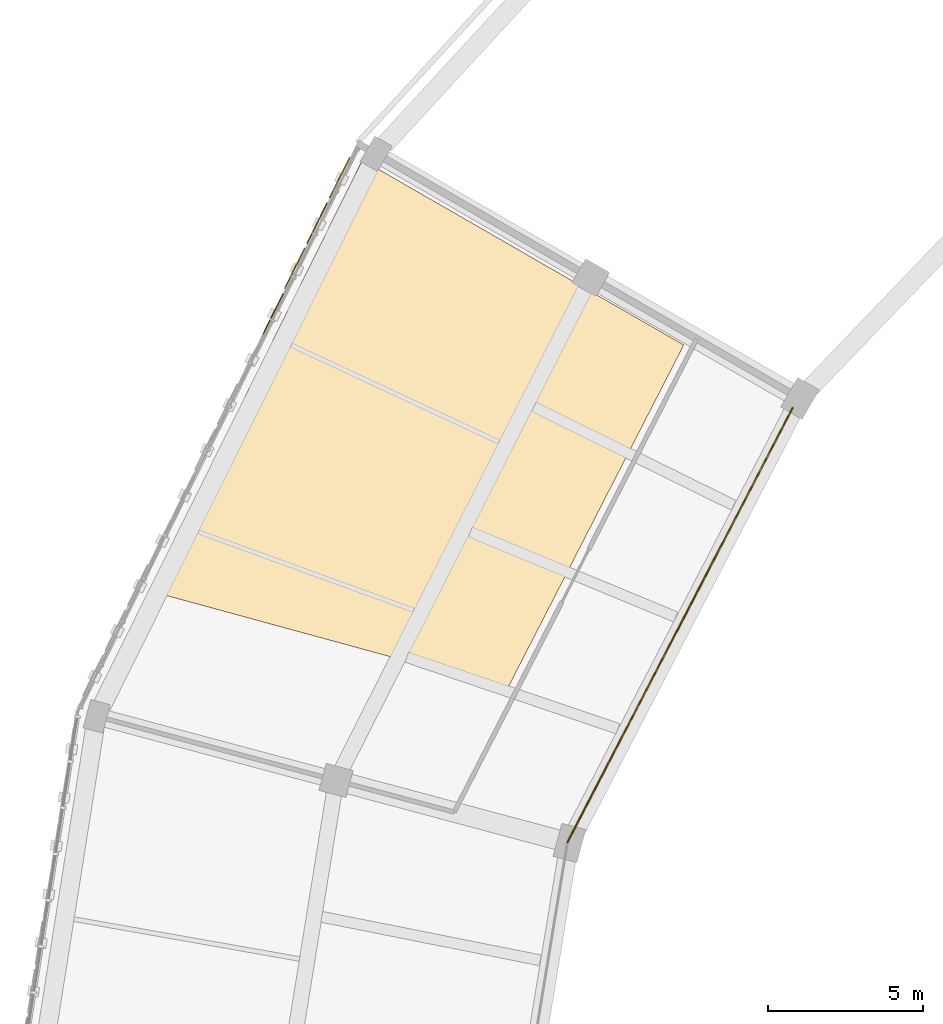
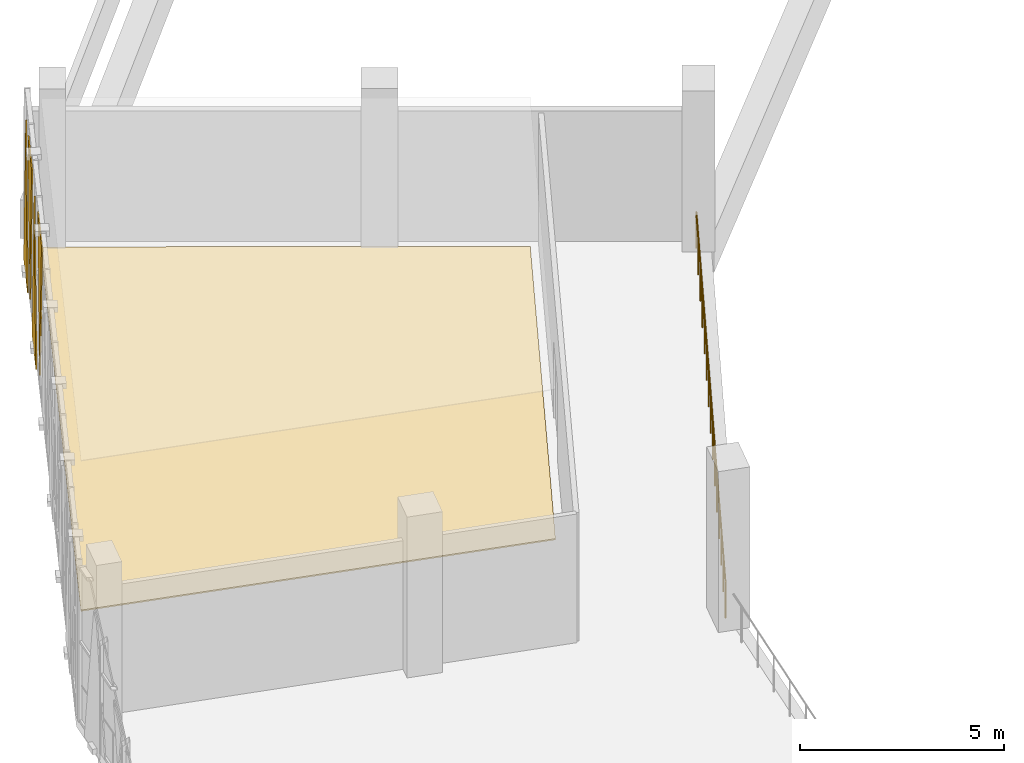
# One storey, part 59 of 64: 5 coverings, 1 railing.
"""IFC4 building model written with IfcOpenShell, lengths in metres."""

import ifcopenshell
import ifcopenshell.guid

model = None  # the IFC model being written
_history = None  # IfcOwnerHistory: only IFC2X3 demands one
_inside = {}  # id of a spatial element -> (the spatial element, [elements in it])
_under = {}  # id of a project, library or spatial element -> (it, [spatial elements below it])
_declared = {}  # id of a project -> (the project, [libraries it declares])
_typed = {}  # id of a type object -> (the type object, [elements of that type])
_made_of = {}  # id of a material, layer set ... -> (it, [elements and type objects made of it])


def new_model(schema):
    """Start an empty IFC model of exactly this schema.

    Asked for "IFC4X3", IfcOpenShell would pick the latest addendum, in which some entities
    have other attributes; the version numbers below select the first issue.
    IFC2X3 requires an IfcOwnerHistory on every rooted entity: one is made here for all.
    """
    global model, _history
    if schema == "IFC4X3":
        model = ifcopenshell.file(schema_version=(4, 3, 0, 0))
    else:
        model = ifcopenshell.file(schema=schema)
    _inside.clear()
    _under.clear()
    _declared.clear()
    _typed.clear()
    _made_of.clear()
    _history = None
    if model.schema == "IFC2X3":
        org = make("IfcOrganization", Name="unknown")
        user = make(
            "IfcPersonAndOrganization",
            ThePerson=make("IfcPerson", FamilyName="unknown"),
            TheOrganization=org,
        )
        app = make(
            "IfcApplication",
            ApplicationDeveloper=org,
            Version="unknown",
            ApplicationFullName="unknown",
            ApplicationIdentifier="unknown",
        )
        _history = make(
            "IfcOwnerHistory",
            OwningUser=user,
            OwningApplication=app,
            ChangeAction="ADDED",
            CreationDate=0,
        )
    return model


def make(cls, **values):
    """One entity of the class cls with the attributes given. An attribute that is None is left unset."""
    return model.create_entity(
        cls, **{name: value for name, value in values.items() if value is not None}
    )


def rooted(cls, **values):
    """An entity with a GlobalId (a new one), such as an element, a storey or a relation."""
    return make(cls, GlobalId=ifcopenshell.guid.new(), OwnerHistory=_history, **values)


def si_unit(unit_type, name, prefix=None):
    """IfcSIUnit, for example si_unit("LENGTHUNIT", "METRE", prefix="MILLI")."""
    return make("IfcSIUnit", UnitType=unit_type, Prefix=prefix, Name=name)


def assignment(units):
    """IfcUnitAssignment: the units of a project."""
    return None if units is None else make("IfcUnitAssignment", Units=units)


def point(xyz):
    """IfcCartesianPoint."""
    return None if xyz is None else make("IfcCartesianPoint", Coordinates=xyz)


def direction(xyz):
    """IfcDirection."""
    return None if xyz is None else make("IfcDirection", DirectionRatios=xyz)


def frame(location, z_axis=None, x_axis=None):
    """IfcAxis2Placement3D, a coordinate frame: its origin and axes. An axis left out is left unset."""
    return make(
        "IfcAxis2Placement3D",
        Location=point(location),
        Axis=direction(z_axis),
        RefDirection=direction(x_axis),
    )


def frame_2d(location, x_axis=None):
    """IfcAxis2Placement2D, a coordinate frame in the plane: its origin and x axis."""
    return make(
        "IfcAxis2Placement2D", Location=point(location), RefDirection=direction(x_axis)
    )


def origin():
    """The frame at (0, 0, 0) with its axes left unset."""
    return frame((0.0, 0.0, 0.0))


def origin_2d():
    """The frame at (0, 0) in the plane with its x axis left unset."""
    return frame_2d((0.0, 0.0))


def place(relative_to, where):
    """IfcLocalPlacement: puts the frame where relative to a parent placement (None: the world)."""
    return make(
        "IfcLocalPlacement", PlacementRelTo=relative_to, RelativePlacement=where
    )


def context(
    kind, dimensions, precision=None, world=None, true_north=None, identifier=None
):
    """IfcGeometricRepresentationContext, for example the 3D "Model" context."""
    return make(
        "IfcGeometricRepresentationContext",
        ContextIdentifier=identifier,
        ContextType=kind,
        CoordinateSpaceDimension=dimensions,
        Precision=precision,
        WorldCoordinateSystem=world,
        TrueNorth=true_north,
    )


def subcontext(parent, identifier, kind, view, scale=None):
    """IfcGeometricRepresentationSubContext, for example "Body" below "Model"."""
    return make(
        "IfcGeometricRepresentationSubContext",
        ContextIdentifier=identifier,
        ContextType=kind,
        ParentContext=parent,
        TargetScale=scale,
        TargetView=view,
    )


def project(units=None, contexts=None):
    """IfcProject with its units and contexts."""
    return rooted(
        "IfcProject",
        Name="project",
        RepresentationContexts=contexts,
        UnitsInContext=assignment(units),
    )


def spatial(cls, under=None, at=None, **own):
    """A site, building, storey or space (cls), placed at a placement, below another one or the project."""
    s = rooted(cls, ObjectPlacement=at, **own)
    if under is not None:
        _under.setdefault(under.id(), (under, []))[1].append(s)
    return s


def polyline(points):
    """IfcPolyline through the points."""
    return make("IfcPolyline", Points=[point(p) for p in points])


def profile(cls, at=None, kind="AREA", **sizes):
    """A parametric profile (cls). Its sizes go by their IFC names, for example OverallWidth=200.0."""
    return make(cls, ProfileType=kind, Position=at, **sizes)


def circle(**sizes):
    """IfcCircleProfileDef."""
    return profile("IfcCircleProfileDef", **sizes)


def outline(outer, holes=None, kind="AREA"):
    """IfcArbitraryClosedProfileDef: a profile drawn as a closed curve; with holes, ...WithVoids."""
    if holes is None:
        return make("IfcArbitraryClosedProfileDef", ProfileType=kind, OuterCurve=outer)
    return make(
        "IfcArbitraryProfileDefWithVoids",
        ProfileType=kind,
        OuterCurve=outer,
        InnerCurves=holes,
    )


def extrude(swept, where, along, depth):
    """IfcExtrudedAreaSolid: the profile swept, set in the frame where, extruded along a direction by depth."""
    return make(
        "IfcExtrudedAreaSolid",
        SweptArea=swept,
        Position=where,
        ExtrudedDirection=direction(along),
        Depth=depth,
    )


def shape(context_of_items, identifier, shape_type, items):
    """IfcShapeRepresentation: the items that make up one representation, for example the "Body"."""
    return make(
        "IfcShapeRepresentation",
        ContextOfItems=context_of_items,
        RepresentationIdentifier=identifier,
        RepresentationType=shape_type,
        Items=items,
    )


def material(Name=None, Category=None):
    """IfcMaterial."""
    return make("IfcMaterial", Name=Name, Category=Category)


def layer(
    of_material, thickness, ventilated=None, Name=None, Category=None, Priority=None
):
    """IfcMaterialLayer: one layer of a wall or slab, of a material (None: an air gap)."""
    return make(
        "IfcMaterialLayer",
        Material=of_material,
        LayerThickness=thickness,
        IsVentilated=ventilated,
        Name=Name,
        Category=Category,
        Priority=Priority,
    )


def layer_set(layers, Name=None):
    """IfcMaterialLayerSet."""
    return make("IfcMaterialLayerSet", MaterialLayers=layers, LayerSetName=Name)


def made_of(thing, what):
    """Note that an element or type object is made of a material, layer set ...; save() writes the relation."""
    if what is not None:
        _made_of.setdefault(what.id(), (what, []))[1].append(thing)
    return thing


def type_object(cls, material=None, **own):
    """A type object (cls), such as IfcWallType, which elements share."""
    return made_of(rooted(cls, **own), material)


def element(
    cls,
    number,
    at=None,
    inside=None,
    cuts=None,
    type_object=None,
    material=None,
    context=None,
    identifier="Body",
    shape_type=None,
    held_by="IfcProductDefinitionShape",
    body=None,
    shapes=None,
    **own,
):
    """One element of the class cls, such as IfcWall. Its Tag is "e" and its number.

    at: its placement. inside: the storey or other place that contains it. cuts: it is an
    opening in that element (IfcRelVoidsElement). A single representation is given by context,
    identifier, shape_type and body (its items); several are given by shapes. held_by: the class
    of the entity that holds the representations. save() writes the other relations.
    """
    e = rooted(cls, Tag="e%d" % number, ObjectPlacement=at, **own)
    if body is not None:
        shapes = [shape(context, identifier, shape_type, body)]
    if shapes is not None:
        e.Representation = make(held_by, Representations=shapes)
    if inside is not None:
        _inside.setdefault(inside.id(), (inside, []))[1].append(e)
    if cuts is not None:
        rooted(
            "IfcRelVoidsElement", RelatingBuildingElement=cuts, RelatedOpeningElement=e
        )
    if type_object is not None:
        _typed.setdefault(type_object.id(), (type_object, []))[1].append(e)
    return made_of(e, material)


def aggregate(whole, parts):
    """IfcRelAggregates: a whole, such as a stair, and the parts it consists of."""
    return rooted("IfcRelAggregates", RelatingObject=whole, RelatedObjects=parts)


def save(model, path):
    """Write the relations noted so far, then the file.

    IfcRelAggregates (storeys below a building ...), IfcRelContainedInSpatialStructure (elements
    in a storey), IfcRelDefinesByType, IfcRelAssociatesMaterial and IfcRelDeclares: one each for
    every whole, place, type object, material and project.
    """
    for whole, parts in _under.values():
        aggregate(whole, parts)
    for where, things in _inside.values():
        rooted(
            "IfcRelContainedInSpatialStructure",
            RelatedElements=things,
            RelatingStructure=where,
        )
    for kind, things in _typed.values():
        rooted("IfcRelDefinesByType", RelatedObjects=things, RelatingType=kind)
    for what, things in _made_of.values():
        rooted("IfcRelAssociatesMaterial", RelatedObjects=things, RelatingMaterial=what)
    for by, libraries in _declared.values():
        rooted("IfcRelDeclares", RelatingContext=by, RelatedDefinitions=libraries)
    model.write(path)


model = new_model("IFC4")

# Units and contexts
model_context = context("Model", 3, precision=1e-05, world=origin(), true_north=direction((0.0, 1.0)))
body_context = subcontext(model_context, "Body", "Model", "MODEL_VIEW")
ifc_project = project(units=[si_unit("LENGTHUNIT", "METRE"), si_unit("AREAUNIT", "SQUARE_METRE"), si_unit("VOLUMEUNIT", "CUBIC_METRE"), si_unit("PLANEANGLEUNIT", "RADIAN"), si_unit("MASSUNIT", "GRAM", prefix="KILO")], contexts=[model_context])

# Site, building, storey
site_placement = place(None, origin())
site = spatial("IfcSite", under=ifc_project, at=site_placement, CompositionType="ELEMENT")
building_placement = place(site_placement, origin())
building = spatial("IfcBuilding", under=site, at=building_placement, Name="Zevraka Park Crest Stadium", CompositionType="ELEMENT")
storey_placement = place(building_placement, frame((0.0, 0.0, 24.60009765625)))
storey = spatial("IfcBuildingStorey", under=building, at=storey_placement, Name="L05", CompositionType="ELEMENT", Elevation=24.60009765625)

# Coverings
ifc_material_1 = material(Name="Architectural golden-bronze perforated aluminium", Category="aluminium")
ifc_layer_1 = layer(ifc_material_1, 0.034912109375)
ifc_layer_set_1 = layer_set([ifc_layer_1], Name="Architectural golden-bronze perforated aluminium")
covering_type_1 = type_object("IfcCoveringType", Name="CLD01", PredefinedType="CLADDING", material=ifc_layer_set_1)
covering_1_placement = place(storey_placement, frame((32.95703125, 129.52490234375, -0.22021484375), z_axis=(0.895619480658, -0.444821021261, 7.0067675e-05), x_axis=(-0.444821022353, -0.895619482857, 0.0)))
element("IfcCovering", 1, at=covering_1_placement, inside=storey, type_object=covering_type_1, Name="Triangular Golden-Bronze Perforated Cladding L05-10-1", PredefinedType="CLADDING", context=body_context, shape_type="SweptSolid", body=[
    extrude(outline(polyline([(0.0, 0.0), (1.4703728050326461, 6.776263578034403e-21), (0.7348033877569146, -4.660156261439471), (0.0, 0.0)])), origin(), (0.0, 0.0, -1.0), 0.034912109375),
])
covering_2_placement = place(storey_placement, frame((31.5791015625, 126.748046875, 4.599853515625), z_axis=(0.895950090781, -0.444154716861, 0.000149398529), x_axis=(0.444154721818, 0.89595010078, 0.0)))
element("IfcCovering", 2, at=covering_2_placement, inside=storey, type_object=covering_type_1, Name="Triangular Golden-Bronze Perforated Cladding L05-10-2", PredefinedType="CLADDING", context=body_context, shape_type="SweptSolid", body=[
    extrude(outline(polyline([(0.0, 0.0), (1.4698302172231181, 0.0), (0.7346945053991754, -4.379882861379319), (0.0, 0.0)])), origin(), (0.0, 0.0, -1.0), 0.034912109375),
])
covering_3_placement = place(storey_placement, frame((31.508056640625, 126.60498046875, -0.22021484375), z_axis=(0.895883995086, -0.444288039832, 7.0784467e-05), x_axis=(-0.444288040945, -0.895883997331, 0.0)))
element("IfcCovering", 3, at=covering_3_placement, inside=storey, type_object=covering_type_1, Name="Triangular Golden-Bronze Perforated Cladding L05-10-3", PredefinedType="CLADDING", context=body_context, shape_type="SweptSolid", body=[
    extrude(outline(polyline([(0.0, 0.0), (1.469938669709407, 0.0), (0.7356779501127663, -4.660156261674719), (0.0, 0.0)])), origin(), (0.0, 0.0, -1.0), 0.034912109375),
])
covering_4_placement = place(storey_placement, frame((30.131103515625, 123.826904296875, 4.599853515625), z_axis=(-0.895982849102, 0.444088626228, 0.000161771865), x_axis=(0.444088632039, 0.895982860826, 0.0)))
element("IfcCovering", 4, at=covering_4_placement, inside=storey, type_object=covering_type_1, Name="Triangular Golden-Bronze Perforated Cladding L05-10-4", PredefinedType="CLADDING", context=body_context, shape_type="SweptSolid", body=[
    extrude(outline(polyline([(0.0, 0.0), (1.4700489590400176, 1.3552527156068805e-20), (0.7353545039067246, 4.379882869811066), (0.0, 0.0)])), origin(), (0.0, 0.0, -1.0), 0.034912109375),
])
ifc_material_2 = material(Name="Honed terrazzo and slip-resistant sports flooring", Category="other")
ifc_layer_2 = layer(ifc_material_2, 0.0400390625)
ifc_layer_set_2 = layer_set([ifc_layer_2], Name="Honed terrazzo and slip-resistant sports flooring")
covering_type_2 = type_object("IfcCoveringType", Name="FLR01", PredefinedType="FLOORING", material=ifc_layer_set_2)
covering_5_placement = place(storey_placement, origin())
element("IfcCovering", 5, at=covering_5_placement, inside=storey, type_object=covering_type_2, Name="Terrazzo Floor Finish Press Writing Hall L05-026", PredefinedType="FLOORING", context=body_context, shape_type="SweptSolid", body=[
    extrude(outline(polyline([(43.72998046875, 123.47607421875), (38.0380859375, 112.381103515625), (26.4619140625, 115.54296875), (33.35302734375, 129.448974609375), (43.72998046875, 123.47607421875)])), origin(), (0.0, 0.0, 1.0), 0.039794921875),
])

# Railing
ifc_material_3 = material(Name="Galvanised and bronze-finished steel balustrade", Category="steel")
railing_type = type_object("IfcRailingType", Name="GR01", PredefinedType="GUARDRAIL", material=ifc_material_3)
railing_placement = place(storey_placement, frame((47.240966796875, 121.43798828125, 0.0)))
element("IfcRailing", 6, at=railing_placement, inside=storey, type_object=railing_type, Name="Deck Edge Protection Guardrail GR01 L05-27", PredefinedType="GUARDRAIL", context=body_context, shape_type="SweptSolid", body=[
    extrude(circle(Radius=0.02392578125, at=origin_2d()), frame((0.0, 0.0, 1.076171875), z_axis=(-0.460360955046, -0.887731823846, 0.0), x_axis=(0.887731823846, -0.460360955046, 0.0)), (0.0, 0.0, 1.0), 15.78515625),
    extrude(circle(Radius=0.02099609375, at=origin_2d()), origin(), (0.0, 0.0, 1.0), 1.052001953125),
    extrude(circle(Radius=0.02099609375, at=origin_2d()), frame((-0.51904296875, -1.0009765625, 0.0)), (0.0, 0.0, 1.0), 1.052001953125),
    extrude(circle(Radius=0.02099609375, at=origin_2d()), frame((-1.0380859375, -2.001953125, 0.0)), (0.0, 0.0, 1.0), 1.052001953125),
    extrude(circle(Radius=0.02099609375, at=origin_2d()), frame((-1.55712890625, -3.002685546875, 0.0)), (0.0, 0.0, 1.0), 1.052001953125),
    extrude(circle(Radius=0.02099609375, at=origin_2d()), frame((-2.076171875, -4.003662109375, 0.0)), (0.0, 0.0, 1.0), 1.052001953125),
    extrude(circle(Radius=0.02099609375, at=origin_2d()), frame((-2.59521484375, -5.004638671875, 0.0)), (0.0, 0.0, 1.0), 1.052001953125),
    extrude(circle(Radius=0.02099609375, at=origin_2d()), frame((-3.1142578125, -6.005615234375, 0.0)), (0.0, 0.0, 1.0), 1.052001953125),
    extrude(circle(Radius=0.02099609375, at=origin_2d()), frame((-3.63330078125, -7.00634765625, 0.0)), (0.0, 0.0, 1.0), 1.052001953125),
    extrude(circle(Radius=0.02099609375, at=origin_2d()), frame((-4.152587890625, -8.00732421875, 0.0)), (0.0, 0.0, 1.0), 1.052001953125),
    extrude(circle(Radius=0.02099609375, at=origin_2d()), frame((-4.671630859375, -9.00830078125, 0.0)), (0.0, 0.0, 1.0), 1.052001953125),
    extrude(circle(Radius=0.02099609375, at=origin_2d()), frame((-5.190673828125, -10.00927734375, 0.0)), (0.0, 0.0, 1.0), 1.052001953125),
    extrude(circle(Radius=0.02099609375, at=origin_2d()), frame((-5.709716796875, -11.01025390625, 0.0)), (0.0, 0.0, 1.0), 1.052001953125),
    extrude(circle(Radius=0.02099609375, at=origin_2d()), frame((-6.228759765625, -12.010986328125, 0.0)), (0.0, 0.0, 1.0), 1.052001953125),
    extrude(circle(Radius=0.02099609375, at=origin_2d()), frame((-6.747802734375, -13.011962890625, 0.0)), (0.0, 0.0, 1.0), 1.052001953125),
    extrude(circle(Radius=0.02099609375, at=origin_2d()), frame((-7.266845703125, -14.012939453125, 0.0)), (0.0, 0.0, 1.0), 1.052001953125),
])

save(model, "model.ifc")
